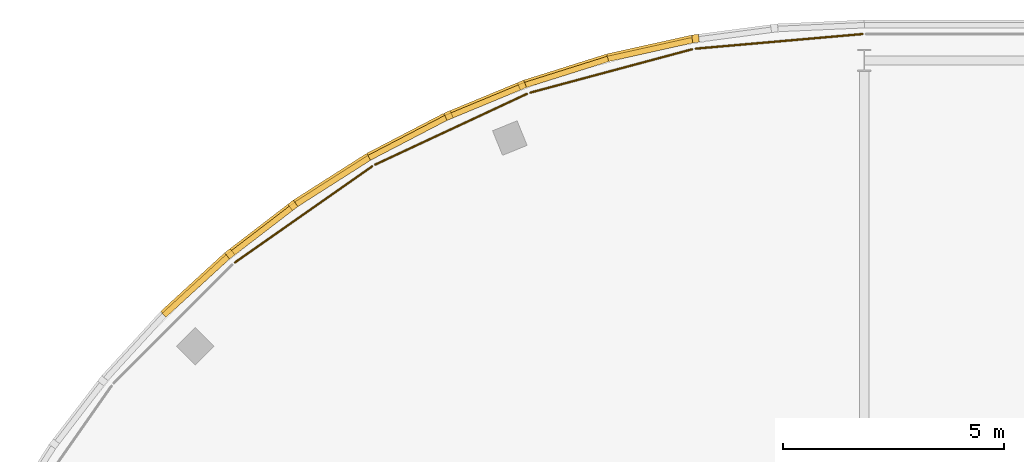
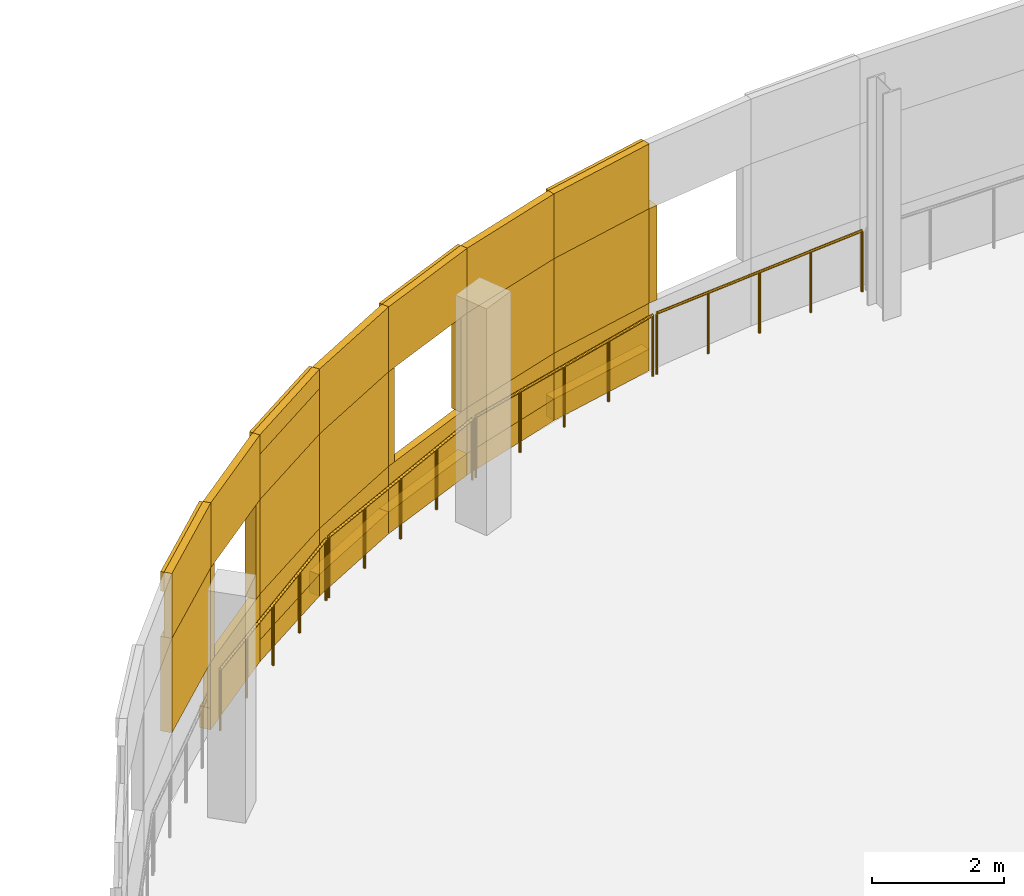
# One storey, part 130 of 140: 33 coverings, 4 railings.
"""IFC4 building model written with IfcOpenShell, lengths in metres."""

import ifcopenshell
import ifcopenshell.guid

model = None  # the IFC model being written
_history = None  # IfcOwnerHistory: only IFC2X3 demands one
_inside = {}  # id of a spatial element -> (the spatial element, [elements in it])
_under = {}  # id of a project, library or spatial element -> (it, [spatial elements below it])
_declared = {}  # id of a project -> (the project, [libraries it declares])
_typed = {}  # id of a type object -> (the type object, [elements of that type])
_made_of = {}  # id of a material, layer set ... -> (it, [elements and type objects made of it])


def new_model(schema):
    """Start an empty IFC model of exactly this schema.

    Asked for "IFC4X3", IfcOpenShell would pick the latest addendum, in which some entities
    have other attributes; the version numbers below select the first issue.
    IFC2X3 requires an IfcOwnerHistory on every rooted entity: one is made here for all.
    """
    global model, _history
    if schema == "IFC4X3":
        model = ifcopenshell.file(schema_version=(4, 3, 0, 0))
    else:
        model = ifcopenshell.file(schema=schema)
    _inside.clear()
    _under.clear()
    _declared.clear()
    _typed.clear()
    _made_of.clear()
    _history = None
    if model.schema == "IFC2X3":
        org = make("IfcOrganization", Name="unknown")
        user = make(
            "IfcPersonAndOrganization",
            ThePerson=make("IfcPerson", FamilyName="unknown"),
            TheOrganization=org,
        )
        app = make(
            "IfcApplication",
            ApplicationDeveloper=org,
            Version="unknown",
            ApplicationFullName="unknown",
            ApplicationIdentifier="unknown",
        )
        _history = make(
            "IfcOwnerHistory",
            OwningUser=user,
            OwningApplication=app,
            ChangeAction="ADDED",
            CreationDate=0,
        )
    return model


def make(cls, **values):
    """One entity of the class cls with the attributes given. An attribute that is None is left unset."""
    return model.create_entity(
        cls, **{name: value for name, value in values.items() if value is not None}
    )


def rooted(cls, **values):
    """An entity with a GlobalId (a new one), such as an element, a storey or a relation."""
    return make(cls, GlobalId=ifcopenshell.guid.new(), OwnerHistory=_history, **values)


def si_unit(unit_type, name, prefix=None):
    """IfcSIUnit, for example si_unit("LENGTHUNIT", "METRE", prefix="MILLI")."""
    return make("IfcSIUnit", UnitType=unit_type, Prefix=prefix, Name=name)


def assignment(units):
    """IfcUnitAssignment: the units of a project."""
    return None if units is None else make("IfcUnitAssignment", Units=units)


def point(xyz):
    """IfcCartesianPoint."""
    return None if xyz is None else make("IfcCartesianPoint", Coordinates=xyz)


def direction(xyz):
    """IfcDirection."""
    return None if xyz is None else make("IfcDirection", DirectionRatios=xyz)


def frame(location, z_axis=None, x_axis=None):
    """IfcAxis2Placement3D, a coordinate frame: its origin and axes. An axis left out is left unset."""
    return make(
        "IfcAxis2Placement3D",
        Location=point(location),
        Axis=direction(z_axis),
        RefDirection=direction(x_axis),
    )


def frame_2d(location, x_axis=None):
    """IfcAxis2Placement2D, a coordinate frame in the plane: its origin and x axis."""
    return make(
        "IfcAxis2Placement2D", Location=point(location), RefDirection=direction(x_axis)
    )


def origin():
    """The frame at (0, 0, 0) with its axes left unset."""
    return frame((0.0, 0.0, 0.0))


def origin_2d():
    """The frame at (0, 0) in the plane with its x axis left unset."""
    return frame_2d((0.0, 0.0))


def place(relative_to, where):
    """IfcLocalPlacement: puts the frame where relative to a parent placement (None: the world)."""
    return make(
        "IfcLocalPlacement", PlacementRelTo=relative_to, RelativePlacement=where
    )


def context(
    kind, dimensions, precision=None, world=None, true_north=None, identifier=None
):
    """IfcGeometricRepresentationContext, for example the 3D "Model" context."""
    return make(
        "IfcGeometricRepresentationContext",
        ContextIdentifier=identifier,
        ContextType=kind,
        CoordinateSpaceDimension=dimensions,
        Precision=precision,
        WorldCoordinateSystem=world,
        TrueNorth=true_north,
    )


def subcontext(parent, identifier, kind, view, scale=None):
    """IfcGeometricRepresentationSubContext, for example "Body" below "Model"."""
    return make(
        "IfcGeometricRepresentationSubContext",
        ContextIdentifier=identifier,
        ContextType=kind,
        ParentContext=parent,
        TargetScale=scale,
        TargetView=view,
    )


def project(units=None, contexts=None):
    """IfcProject with its units and contexts."""
    return rooted(
        "IfcProject",
        Name="project",
        RepresentationContexts=contexts,
        UnitsInContext=assignment(units),
    )


def spatial(cls, under=None, at=None, **own):
    """A site, building, storey or space (cls), placed at a placement, below another one or the project."""
    s = rooted(cls, ObjectPlacement=at, **own)
    if under is not None:
        _under.setdefault(under.id(), (under, []))[1].append(s)
    return s


def profile(cls, at=None, kind="AREA", **sizes):
    """A parametric profile (cls). Its sizes go by their IFC names, for example OverallWidth=200.0."""
    return make(cls, ProfileType=kind, Position=at, **sizes)


def rectangle(**sizes):
    """IfcRectangleProfileDef."""
    return profile("IfcRectangleProfileDef", **sizes)


def circle(**sizes):
    """IfcCircleProfileDef."""
    return profile("IfcCircleProfileDef", **sizes)


def extrude(swept, where, along, depth):
    """IfcExtrudedAreaSolid: the profile swept, set in the frame where, extruded along a direction by depth."""
    return make(
        "IfcExtrudedAreaSolid",
        SweptArea=swept,
        Position=where,
        ExtrudedDirection=direction(along),
        Depth=depth,
    )


def shape(context_of_items, identifier, shape_type, items):
    """IfcShapeRepresentation: the items that make up one representation, for example the "Body"."""
    return make(
        "IfcShapeRepresentation",
        ContextOfItems=context_of_items,
        RepresentationIdentifier=identifier,
        RepresentationType=shape_type,
        Items=items,
    )


def material(Name=None, Category=None):
    """IfcMaterial."""
    return make("IfcMaterial", Name=Name, Category=Category)


def layer(
    of_material, thickness, ventilated=None, Name=None, Category=None, Priority=None
):
    """IfcMaterialLayer: one layer of a wall or slab, of a material (None: an air gap)."""
    return make(
        "IfcMaterialLayer",
        Material=of_material,
        LayerThickness=thickness,
        IsVentilated=ventilated,
        Name=Name,
        Category=Category,
        Priority=Priority,
    )


def layer_set(layers, Name=None):
    """IfcMaterialLayerSet."""
    return make("IfcMaterialLayerSet", MaterialLayers=layers, LayerSetName=Name)


def made_of(thing, what):
    """Note that an element or type object is made of a material, layer set ...; save() writes the relation."""
    if what is not None:
        _made_of.setdefault(what.id(), (what, []))[1].append(thing)
    return thing


def type_object(cls, material=None, **own):
    """A type object (cls), such as IfcWallType, which elements share."""
    return made_of(rooted(cls, **own), material)


def element(
    cls,
    number,
    at=None,
    inside=None,
    cuts=None,
    type_object=None,
    material=None,
    context=None,
    identifier="Body",
    shape_type=None,
    held_by="IfcProductDefinitionShape",
    body=None,
    shapes=None,
    **own,
):
    """One element of the class cls, such as IfcWall. Its Tag is "e" and its number.

    at: its placement. inside: the storey or other place that contains it. cuts: it is an
    opening in that element (IfcRelVoidsElement). A single representation is given by context,
    identifier, shape_type and body (its items); several are given by shapes. held_by: the class
    of the entity that holds the representations. save() writes the other relations.
    """
    e = rooted(cls, Tag="e%d" % number, ObjectPlacement=at, **own)
    if body is not None:
        shapes = [shape(context, identifier, shape_type, body)]
    if shapes is not None:
        e.Representation = make(held_by, Representations=shapes)
    if inside is not None:
        _inside.setdefault(inside.id(), (inside, []))[1].append(e)
    if cuts is not None:
        rooted(
            "IfcRelVoidsElement", RelatingBuildingElement=cuts, RelatedOpeningElement=e
        )
    if type_object is not None:
        _typed.setdefault(type_object.id(), (type_object, []))[1].append(e)
    return made_of(e, material)


def aggregate(whole, parts):
    """IfcRelAggregates: a whole, such as a stair, and the parts it consists of."""
    return rooted("IfcRelAggregates", RelatingObject=whole, RelatedObjects=parts)


def save(model, path):
    """Write the relations noted so far, then the file.

    IfcRelAggregates (storeys below a building ...), IfcRelContainedInSpatialStructure (elements
    in a storey), IfcRelDefinesByType, IfcRelAssociatesMaterial and IfcRelDeclares: one each for
    every whole, place, type object, material and project.
    """
    for whole, parts in _under.values():
        aggregate(whole, parts)
    for where, things in _inside.values():
        rooted(
            "IfcRelContainedInSpatialStructure",
            RelatedElements=things,
            RelatingStructure=where,
        )
    for kind, things in _typed.values():
        rooted("IfcRelDefinesByType", RelatedObjects=things, RelatingType=kind)
    for what, things in _made_of.values():
        rooted("IfcRelAssociatesMaterial", RelatedObjects=things, RelatingMaterial=what)
    for by, libraries in _declared.values():
        rooted("IfcRelDeclares", RelatingContext=by, RelatedDefinitions=libraries)
    model.write(path)


model = new_model("IFC4")

# Units and contexts
model_context = context("Model", 3, precision=1e-05, world=origin(), true_north=direction((0.0, 1.0)))
body_context = subcontext(model_context, "Body", "Model", "MODEL_VIEW")
ifc_project = project(units=[si_unit("LENGTHUNIT", "METRE"), si_unit("AREAUNIT", "SQUARE_METRE"), si_unit("VOLUMEUNIT", "CUBIC_METRE"), si_unit("PLANEANGLEUNIT", "RADIAN"), si_unit("MASSUNIT", "GRAM", prefix="KILO")], contexts=[model_context])

# Site, building, storey
site_placement = place(None, origin())
site = spatial("IfcSite", under=ifc_project, at=site_placement, CompositionType="ELEMENT")
building_placement = place(site_placement, origin())
building = spatial("IfcBuilding", under=site, at=building_placement, Name="Deido Ridge Mobility Hub", CompositionType="ELEMENT")
storey_placement = place(building_placement, origin())
storey = spatial("IfcBuildingStorey", under=building, at=storey_placement, Name="L00", CompositionType="ELEMENT", Elevation=0.0)

# Coverings
ifc_material_1 = material(Name="Fired clay brick masonry", Category="masonry")
ifc_layer = layer(ifc_material_1, 0.114990234375, Name="Fired clay brick masonry")
ifc_layer_set = layer_set([ifc_layer], Name="Fired clay brick masonry")
covering_type = type_object("IfcCoveringType", Name="COV-BRK-SCREEN-115", PredefinedType="CLADDING", material=ifc_layer_set)
covering_1_placement = place(storey_placement, frame((41.17578125, 125.64404296875, 1.25), z_axis=(0.0, 0.0, 1.0), x_axis=(-0.991442583111, -0.130543496177, 0.0)))
element("IfcCovering", 1, at=covering_1_placement, inside=storey, type_object=covering_type, Name="Curved brick jamb nib BKS1 (L00)", PredefinedType="CLADDING", context=body_context, shape_type="SweptSolid", body=[
    extrude(rectangle(XDim=0.152099609375, YDim=0.179931640625, at=origin_2d()), origin(), (0.0, 0.0, 1.0), 1.75),
])
covering_2_placement = place(storey_placement, frame((40.14599609375, 125.39453125, 0.0), z_axis=(0.0, 0.0, 1.0), x_axis=(-0.976292229387, -0.216456653485, 0.0)))
element("IfcCovering", 2, at=covering_2_placement, inside=storey, type_object=covering_type, Name="Open brickwork spandrel course BKS1 (L00)", PredefinedType="CLADDING", context=body_context, shape_type="SweptSolid", body=[
    extrude(rectangle(XDim=1.9619140625, YDim=0.125, at=origin_2d()), origin(), (0.0, 0.0, 1.0), 1.25),
])
covering_3_placement = place(storey_placement, frame((40.14013671875, 125.42138671875, 0.0), z_axis=(0.0, 0.0, 1.0), x_axis=(-0.976292229387, -0.216456653485, 0.0)))
element("IfcCovering", 3, at=covering_3_placement, inside=storey, type_object=covering_type, Name="Raised brick relief belt BKS1 (L00)", PredefinedType="CLADDING", context=body_context, shape_type="SweptSolid", body=[
    extrude(rectangle(XDim=1.9619140625, YDim=0.179931640625, at=origin_2d()), origin(), (0.0, 0.0, 1.0), 0.39990234375),
])
covering_4_placement = place(storey_placement, frame((40.14599609375, 125.39453125, 3.0), z_axis=(0.0, 0.0, 1.0), x_axis=(-0.976292229387, -0.216456653485, 0.0)))
element("IfcCovering", 4, at=covering_4_placement, inside=storey, type_object=covering_type, Name="Open brickwork lintel course BKS1 (L00)", PredefinedType="CLADDING", context=body_context, shape_type="SweptSolid", body=[
    extrude(rectangle(XDim=1.9619140625, YDim=0.125, at=origin_2d()), origin(), (0.0, 0.0, 1.0), 1.199951171875),
])
covering_5_placement = place(storey_placement, frame((40.14013671875, 125.42138671875, 3.83984375), z_axis=(0.0, 0.0, 1.0), x_axis=(-0.976292229387, -0.216456653485, 0.0)))
element("IfcCovering", 5, at=covering_5_placement, inside=storey, type_object=covering_type, Name="Raised brick relief cornice BKS1 (L00)", PredefinedType="CLADDING", context=body_context, shape_type="SweptSolid", body=[
    extrude(rectangle(XDim=1.9619140625, YDim=0.179931640625, at=origin_2d()), origin(), (0.0, 0.0, 1.0), 0.360107421875),
])
covering_6_placement = place(storey_placement, frame((40.14013671875, 125.42138671875, 1.25), z_axis=(0.0, 0.0, 1.0), x_axis=(-0.976292229387, -0.216456653485, 0.0)))
element("IfcCovering", 6, at=covering_6_placement, inside=storey, type_object=covering_type, Name="Curved raised brickwork pier BKS1 (L00)", PredefinedType="CLADDING", context=body_context, shape_type="SweptSolid", body=[
    extrude(rectangle(XDim=1.9619140625, YDim=0.179931640625, at=origin_2d()), origin(), (0.0, 0.0, 1.0), 1.75),
])
covering_7_placement = place(storey_placement, frame((38.25634765625, 124.88818359375, 0.0), z_axis=(0.0, 0.0, 1.0), x_axis=(-0.95372744678, -0.300672508319, 0.0)))
element("IfcCovering", 7, at=covering_7_placement, inside=storey, type_object=covering_type, Name="Open brickwork spandrel course BKS1 (L00)", PredefinedType="CLADDING", context=body_context, shape_type="SweptSolid", body=[
    extrude(rectangle(XDim=1.9619140625, YDim=0.125, at=origin_2d()), origin(), (0.0, 0.0, 1.0), 1.25),
])
covering_8_placement = place(storey_placement, frame((38.248046875, 124.914306640625, 0.0), z_axis=(0.0, 0.0, 1.0), x_axis=(-0.95372744678, -0.300672508319, 0.0)))
element("IfcCovering", 8, at=covering_8_placement, inside=storey, type_object=covering_type, Name="Raised brick relief belt BKS1 (L00)", PredefinedType="CLADDING", context=body_context, shape_type="SweptSolid", body=[
    extrude(rectangle(XDim=1.9619140625, YDim=0.179931640625, at=origin_2d()), origin(), (0.0, 0.0, 1.0), 0.39990234375),
])
covering_9_placement = place(storey_placement, frame((38.25634765625, 124.88818359375, 3.0), z_axis=(0.0, 0.0, 1.0), x_axis=(-0.95372744678, -0.300672508319, 0.0)))
element("IfcCovering", 9, at=covering_9_placement, inside=storey, type_object=covering_type, Name="Open brickwork lintel course BKS1 (L00)", PredefinedType="CLADDING", context=body_context, shape_type="SweptSolid", body=[
    extrude(rectangle(XDim=1.9619140625, YDim=0.125, at=origin_2d()), origin(), (0.0, 0.0, 1.0), 1.199951171875),
])
covering_10_placement = place(storey_placement, frame((38.25634765625, 124.88818359375, 1.25), z_axis=(0.0, 0.0, 1.0), x_axis=(-0.95372744678, -0.300672508319, 0.0)))
element("IfcCovering", 10, at=covering_10_placement, inside=storey, type_object=covering_type, Name="Curved raised brickwork pier BKS1 (L00)", PredefinedType="CLADDING", context=body_context, shape_type="SweptSolid", body=[
    extrude(rectangle(XDim=1.9619140625, YDim=0.125, at=origin_2d()), origin(), (0.0, 0.0, 1.0), 1.75),
])
covering_11_placement = place(storey_placement, frame((36.41796875, 124.218994140625, 0.0), z_axis=(0.0, 0.0, 1.0), x_axis=(-0.923872853285, -0.382699557047, 0.0)))
element("IfcCovering", 11, at=covering_11_placement, inside=storey, type_object=covering_type, Name="Open brickwork spandrel course BKS1 (L00)", PredefinedType="CLADDING", context=body_context, shape_type="SweptSolid", body=[
    extrude(rectangle(XDim=1.9619140625, YDim=0.125, at=origin_2d()), origin(), (0.0, 0.0, 1.0), 1.25),
])
covering_12_placement = place(storey_placement, frame((36.4072265625, 124.244384765625, 0.0), z_axis=(0.0, 0.0, 1.0), x_axis=(-0.923872853285, -0.382699557047, 0.0)))
element("IfcCovering", 12, at=covering_12_placement, inside=storey, type_object=covering_type, Name="Raised brick relief belt BKS1 (L00)", PredefinedType="CLADDING", context=body_context, shape_type="SweptSolid", body=[
    extrude(rectangle(XDim=1.9619140625, YDim=0.179931640625, at=origin_2d()), origin(), (0.0, 0.0, 1.0), 0.39990234375),
])
covering_13_placement = place(storey_placement, frame((36.41796875, 124.218994140625, 3.0), z_axis=(0.0, 0.0, 1.0), x_axis=(-0.923872853285, -0.382699557047, 0.0)))
element("IfcCovering", 13, at=covering_13_placement, inside=storey, type_object=covering_type, Name="Open brickwork lintel course BKS1 (L00)", PredefinedType="CLADDING", context=body_context, shape_type="SweptSolid", body=[
    extrude(rectangle(XDim=1.9619140625, YDim=0.125, at=origin_2d()), origin(), (0.0, 0.0, 1.0), 1.199951171875),
])
covering_14_placement = place(storey_placement, frame((36.4072265625, 124.244384765625, 3.83984375), z_axis=(0.0, 0.0, 1.0), x_axis=(-0.923872853285, -0.382699557047, 0.0)))
element("IfcCovering", 14, at=covering_14_placement, inside=storey, type_object=covering_type, Name="Raised brick relief cornice BKS1 (L00)", PredefinedType="CLADDING", context=body_context, shape_type="SweptSolid", body=[
    extrude(rectangle(XDim=1.9619140625, YDim=0.179931640625, at=origin_2d()), origin(), (0.0, 0.0, 1.0), 0.360107421875),
])
for number, where, z_axis, x_axis, name in (
    (15, (37.23974609375, 124.58935546875, 1.25), (0.0, 0.0, 1.0), (-0.923872853285, -0.382699557047, 0.0), "Curved brick jamb nib BKS1 (L00)"),
    (16, (35.574951171875, 123.899658203125, 1.25), (0.0, 0.0, 1.0), (-0.923872853285, -0.382699557047, 0.0), "Curved brick jamb nib BKS1 (L00)"),
):
    element("IfcCovering", number, at=place(storey_placement, frame(where, z_axis=z_axis, x_axis=x_axis)), inside=storey, type_object=covering_type, Name=name, PredefinedType="CLADDING", context=body_context, shape_type="SweptSolid", body=[
        extrude(rectangle(XDim=0.152099609375, YDim=0.179931640625, at=origin_2d()), origin(), (0.0, 0.0, 1.0), 1.75),
    ])
covering_15_placement = place(storey_placement, frame((34.644775390625, 123.392333984375, 0.0), z_axis=(0.0, 0.0, 1.0), x_axis=(-0.887018892077, -0.461733131905, 0.0)))
element("IfcCovering", 17, at=covering_15_placement, inside=storey, type_object=covering_type, Name="Open brickwork spandrel course BKS1 (L00)", PredefinedType="CLADDING", context=body_context, shape_type="SweptSolid", body=[
    extrude(rectangle(XDim=1.9619140625, YDim=0.125, at=origin_2d()), origin(), (0.0, 0.0, 1.0), 1.25),
])
covering_16_placement = place(storey_placement, frame((34.632080078125, 123.416748046875, 0.0), z_axis=(0.0, 0.0, 1.0), x_axis=(-0.887018892077, -0.461733131905, 0.0)))
element("IfcCovering", 18, at=covering_16_placement, inside=storey, type_object=covering_type, Name="Raised brick relief belt BKS1 (L00)", PredefinedType="CLADDING", context=body_context, shape_type="SweptSolid", body=[
    extrude(rectangle(XDim=1.9619140625, YDim=0.179931640625, at=origin_2d()), origin(), (0.0, 0.0, 1.0), 0.39990234375),
])
covering_17_placement = place(storey_placement, frame((34.644775390625, 123.392333984375, 3.0), z_axis=(0.0, 0.0, 1.0), x_axis=(-0.887018892077, -0.461733131905, 0.0)))
element("IfcCovering", 19, at=covering_17_placement, inside=storey, type_object=covering_type, Name="Open brickwork lintel course BKS1 (L00)", PredefinedType="CLADDING", context=body_context, shape_type="SweptSolid", body=[
    extrude(rectangle(XDim=1.9619140625, YDim=0.125, at=origin_2d()), origin(), (0.0, 0.0, 1.0), 1.199951171875),
])
covering_18_placement = place(storey_placement, frame((34.644775390625, 123.392333984375, 1.25), z_axis=(0.0, 0.0, 1.0), x_axis=(-0.887018892077, -0.461733131905, 0.0)))
element("IfcCovering", 20, at=covering_18_placement, inside=storey, type_object=covering_type, Name="Curved raised brickwork pier BKS1 (L00)", PredefinedType="CLADDING", context=body_context, shape_type="SweptSolid", body=[
    extrude(rectangle(XDim=1.9619140625, YDim=0.125, at=origin_2d()), origin(), (0.0, 0.0, 1.0), 1.75),
])
covering_19_placement = place(storey_placement, frame((32.950439453125, 122.4140625, 0.0), z_axis=(0.0, 0.0, 1.0), x_axis=(-0.843382068037, -0.537314328223, 0.0)))
element("IfcCovering", 21, at=covering_19_placement, inside=storey, type_object=covering_type, Name="Open brickwork spandrel course BKS1 (L00)", PredefinedType="CLADDING", context=body_context, shape_type="SweptSolid", body=[
    extrude(rectangle(XDim=1.9619140625, YDim=0.125, at=origin_2d()), origin(), (0.0, 0.0, 1.0), 1.25),
])
covering_20_placement = place(storey_placement, frame((32.935791015625, 122.437255859375, 0.0), z_axis=(0.0, 0.0, 1.0), x_axis=(-0.843382068037, -0.537314328223, 0.0)))
element("IfcCovering", 22, at=covering_20_placement, inside=storey, type_object=covering_type, Name="Raised brick relief belt BKS1 (L00)", PredefinedType="CLADDING", context=body_context, shape_type="SweptSolid", body=[
    extrude(rectangle(XDim=1.9619140625, YDim=0.179931640625, at=origin_2d()), origin(), (0.0, 0.0, 1.0), 0.39990234375),
])
covering_21_placement = place(storey_placement, frame((32.950439453125, 122.4140625, 3.0), z_axis=(0.0, 0.0, 1.0), x_axis=(-0.843382068037, -0.537314328223, 0.0)))
element("IfcCovering", 23, at=covering_21_placement, inside=storey, type_object=covering_type, Name="Open brickwork lintel course BKS1 (L00)", PredefinedType="CLADDING", context=body_context, shape_type="SweptSolid", body=[
    extrude(rectangle(XDim=1.9619140625, YDim=0.125, at=origin_2d()), origin(), (0.0, 0.0, 1.0), 1.199951171875),
])
covering_22_placement = place(storey_placement, frame((32.935791015625, 122.437255859375, 3.83984375), z_axis=(0.0, 0.0, 1.0), x_axis=(-0.843382068037, -0.537314328223, 0.0)))
element("IfcCovering", 24, at=covering_22_placement, inside=storey, type_object=covering_type, Name="Raised brick relief cornice BKS1 (L00)", PredefinedType="CLADDING", context=body_context, shape_type="SweptSolid", body=[
    extrude(rectangle(XDim=1.9619140625, YDim=0.179931640625, at=origin_2d()), origin(), (0.0, 0.0, 1.0), 0.360107421875),
])
covering_23_placement = place(storey_placement, frame((32.935791015625, 122.437255859375, 1.25), z_axis=(0.0, 0.0, 1.0), x_axis=(-0.843382068037, -0.537314328223, 0.0)))
element("IfcCovering", 25, at=covering_23_placement, inside=storey, type_object=covering_type, Name="Curved raised brickwork pier BKS1 (L00)", PredefinedType="CLADDING", context=body_context, shape_type="SweptSolid", body=[
    extrude(rectangle(XDim=1.9619140625, YDim=0.179931640625, at=origin_2d()), origin(), (0.0, 0.0, 1.0), 1.75),
])
covering_24_placement = place(storey_placement, frame((31.347900390625, 121.2919921875, 0.0), z_axis=(0.0, 0.0, 1.0), x_axis=(-0.793353340291, -0.608761429009, 0.0)))
element("IfcCovering", 26, at=covering_24_placement, inside=storey, type_object=covering_type, Name="Open brickwork spandrel course BKS1 (L00)", PredefinedType="CLADDING", context=body_context, shape_type="SweptSolid", body=[
    extrude(rectangle(XDim=1.9619140625, YDim=0.125, at=origin_2d()), origin(), (0.0, 0.0, 1.0), 1.25),
])
covering_25_placement = place(storey_placement, frame((31.3310546875, 121.313720703125, 0.0), z_axis=(0.0, 0.0, 1.0), x_axis=(-0.793353340291, -0.608761429009, 0.0)))
element("IfcCovering", 27, at=covering_25_placement, inside=storey, type_object=covering_type, Name="Raised brick relief belt BKS1 (L00)", PredefinedType="CLADDING", context=body_context, shape_type="SweptSolid", body=[
    extrude(rectangle(XDim=1.9619140625, YDim=0.179931640625, at=origin_2d()), origin(), (0.0, 0.0, 1.0), 0.39990234375),
])
covering_26_placement = place(storey_placement, frame((31.347900390625, 121.2919921875, 3.0), z_axis=(0.0, 0.0, 1.0), x_axis=(-0.793353340291, -0.608761429009, 0.0)))
element("IfcCovering", 28, at=covering_26_placement, inside=storey, type_object=covering_type, Name="Open brickwork lintel course BKS1 (L00)", PredefinedType="CLADDING", context=body_context, shape_type="SweptSolid", body=[
    extrude(rectangle(XDim=1.9619140625, YDim=0.125, at=origin_2d()), origin(), (0.0, 0.0, 1.0), 1.199951171875),
])
for number, where, z_axis, x_axis, name in (
    (29, (32.0458984375, 121.8623046875, 1.25), (0.0, 0.0, 1.0), (-0.793353340291, -0.608761429009, 0.0), "Curved brick jamb nib BKS1 (L00)"),
    (30, (30.6162109375, 120.76513671875, 1.25), (0.0, 0.0, 1.0), (-0.793353340291, -0.608761429009, 0.0), "Curved brick jamb nib BKS1 (L00)"),
):
    element("IfcCovering", number, at=place(storey_placement, frame(where, z_axis=z_axis, x_axis=x_axis)), inside=storey, type_object=covering_type, Name=name, PredefinedType="CLADDING", context=body_context, shape_type="SweptSolid", body=[
        extrude(rectangle(XDim=0.152099609375, YDim=0.179931640625, at=origin_2d()), origin(), (0.0, 0.0, 1.0), 1.75),
    ])
covering_27_placement = place(storey_placement, frame((29.84912109375, 120.0341796875, 3.0), z_axis=(0.0, 0.0, 1.0), x_axis=(-0.737289127971, -0.675577339596, 0.0)))
element("IfcCovering", 31, at=covering_27_placement, inside=storey, type_object=covering_type, Name="Open brickwork lintel course BKS1 (L00)", PredefinedType="CLADDING", context=body_context, shape_type="SweptSolid", body=[
    extrude(rectangle(XDim=1.9619140625, YDim=0.125, at=origin_2d()), origin(), (0.0, 0.0, 1.0), 1.199951171875),
])
covering_28_placement = place(storey_placement, frame((29.83056640625, 120.0546875, 3.83984375), z_axis=(0.0, 0.0, 1.0), x_axis=(-0.737289127971, -0.675577339596, 0.0)))
element("IfcCovering", 32, at=covering_28_placement, inside=storey, type_object=covering_type, Name="Raised brick relief cornice BKS1 (L00)", PredefinedType="CLADDING", context=body_context, shape_type="SweptSolid", body=[
    extrude(rectangle(XDim=1.9619140625, YDim=0.179931640625, at=origin_2d()), origin(), (0.0, 0.0, 1.0), 0.360107421875),
])
covering_29_placement = place(storey_placement, frame((29.83056640625, 120.0546875, 1.25), z_axis=(0.0, 0.0, 1.0), x_axis=(-0.737289127971, -0.675577339596, 0.0)))
element("IfcCovering", 33, at=covering_29_placement, inside=storey, type_object=covering_type, Name="Curved raised brickwork pier BKS1 (L00)", PredefinedType="CLADDING", context=body_context, shape_type="SweptSolid", body=[
    extrude(rectangle(XDim=1.9619140625, YDim=0.179931640625, at=origin_2d()), origin(), (0.0, 0.0, 1.0), 1.75),
])

# Railings
ifc_material_2 = material(Name="Galvanised steel work", Category="steel")
railing_type = type_object("IfcRailingType", Name="RL-GRD-EXT-1150", PredefinedType="GUARDRAIL", material=ifc_material_2)
railing_1_placement = place(storey_placement, frame((44.960205078125, 125.74658203125, 0.0)))
element("IfcRailing", 34, at=railing_1_placement, inside=storey, type_object=railing_type, Name="Parking drum perimeter guard (L00)", PredefinedType="GUARDRAIL", context=body_context, shape_type="SweptSolid", body=[
    extrude(circle(Radius=0.02392578125, at=origin_2d()), frame((0.0, 0.0, 1.1259765625), z_axis=(-0.996195112607, -0.08715100469, 0.0), x_axis=(0.08715100469, -0.996195112607, 0.0)), (0.0, 0.0, 1.0), 3.798583984375),
    extrude(circle(Radius=0.02099609375, at=origin_2d()), origin(), (0.0, 0.0, 1.0), 1.101806640625),
    extrude(circle(Radius=0.02099609375, at=origin_2d()), frame((-0.946044921875, -0.082763671875, 0.0)), (0.0, 0.0, 1.0), 1.101806640625),
    extrude(circle(Radius=0.02099609375, at=origin_2d()), frame((-1.89208984375, -0.16552734375, 0.0)), (0.0, 0.0, 1.0), 1.101806640625),
    extrude(circle(Radius=0.02099609375, at=origin_2d()), frame((-2.838134765625, -0.248291015625, 0.0)), (0.0, 0.0, 1.0), 1.101806640625),
    extrude(circle(Radius=0.02099609375, at=origin_2d()), frame((-3.7841796875, -0.3310546875, 0.0)), (0.0, 0.0, 1.0), 1.101806640625),
])
railing_2_placement = place(storey_placement, frame((41.09765625, 125.401611328125, 0.0)))
element("IfcRailing", 35, at=railing_2_placement, inside=storey, type_object=railing_type, Name="Parking drum perimeter guard (L00)", PredefinedType="GUARDRAIL", context=body_context, shape_type="SweptSolid", body=[
    extrude(circle(Radius=0.02392578125, at=origin_2d()), frame((0.0, 0.0, 1.1259765625), z_axis=(-0.965937723757, -0.258774639064, 0.0), x_axis=(0.258774639064, -0.965937723757, 0.0)), (0.0, 0.0, 1.0), 3.79833984375),
    extrude(circle(Radius=0.02099609375, at=origin_2d()), origin(), (0.0, 0.0, 1.0), 1.101806640625),
    extrude(circle(Radius=0.02099609375, at=origin_2d()), frame((-0.917236328125, -0.24560546875, 0.0)), (0.0, 0.0, 1.0), 1.101806640625),
    extrude(circle(Radius=0.02099609375, at=origin_2d()), frame((-1.83447265625, -0.491455078125, 0.0)), (0.0, 0.0, 1.0), 1.101806640625),
    extrude(circle(Radius=0.02099609375, at=origin_2d()), frame((-2.751708984375, -0.7373046875, 0.0)), (0.0, 0.0, 1.0), 1.101806640625),
    extrude(circle(Radius=0.02099609375, at=origin_2d()), frame((-3.6689453125, -0.98291015625, 0.0)), (0.0, 0.0, 1.0), 1.101806640625),
])
railing_3_placement = place(storey_placement, frame((37.353759765625, 124.391357421875, 0.0)))
element("IfcRailing", 36, at=railing_3_placement, inside=storey, type_object=railing_type, Name="Parking drum perimeter guard (L00)", PredefinedType="GUARDRAIL", context=body_context, shape_type="SweptSolid", body=[
    extrude(circle(Radius=0.02392578125, at=origin_2d()), frame((0.0, 0.0, 1.1259765625), z_axis=(-0.906281639574, -0.422674330627, 0.0), x_axis=(0.422674330627, -0.906281639574, 0.0)), (0.0, 0.0, 1.0), 3.79833984375),
    extrude(circle(Radius=0.02099609375, at=origin_2d()), origin(), (0.0, 0.0, 1.0), 1.101806640625),
    extrude(circle(Radius=0.02099609375, at=origin_2d()), frame((-0.860595703125, -0.4013671875, 0.0)), (0.0, 0.0, 1.0), 1.101806640625),
    extrude(circle(Radius=0.02099609375, at=origin_2d()), frame((-1.72119140625, -0.802734375, 0.0)), (0.0, 0.0, 1.0), 1.101806640625),
    extrude(circle(Radius=0.02099609375, at=origin_2d()), frame((-2.581787109375, -1.2041015625, 0.0)), (0.0, 0.0, 1.0), 1.101806640625),
    extrude(circle(Radius=0.02099609375, at=origin_2d()), frame((-3.4423828125, -1.60546875, 0.0)), (0.0, 0.0, 1.0), 1.101806640625),
])
railing_4_placement = place(storey_placement, frame((33.84228515625, 122.74609375, 0.0)))
element("IfcRailing", 37, at=railing_4_placement, inside=storey, type_object=railing_type, Name="Parking drum perimeter guard (L00)", PredefinedType="GUARDRAIL", context=body_context, shape_type="SweptSolid", body=[
    extrude(circle(Radius=0.02392578125, at=origin_2d()), frame((0.0, 0.0, 1.1259765625), z_axis=(-0.819156425271, -0.573570179609, 0.0), x_axis=(0.573570179609, -0.819156425271, 0.0)), (0.0, 0.0, 1.0), 3.798583984375),
    extrude(circle(Radius=0.02099609375, at=origin_2d()), origin(), (0.0, 0.0, 1.0), 1.101806640625),
    extrude(circle(Radius=0.02099609375, at=origin_2d()), frame((-0.77783203125, -0.544677734375, 0.0)), (0.0, 0.0, 1.0), 1.101806640625),
    extrude(circle(Radius=0.02099609375, at=origin_2d()), frame((-1.5556640625, -1.08935546875, 0.0)), (0.0, 0.0, 1.0), 1.101806640625),
    extrude(circle(Radius=0.02099609375, at=origin_2d()), frame((-2.333740234375, -1.634033203125, 0.0)), (0.0, 0.0, 1.0), 1.101806640625),
    extrude(circle(Radius=0.02099609375, at=origin_2d()), frame((-3.111572265625, -2.1787109375, 0.0)), (0.0, 0.0, 1.0), 1.101806640625),
])

save(model, "model.ifc")
